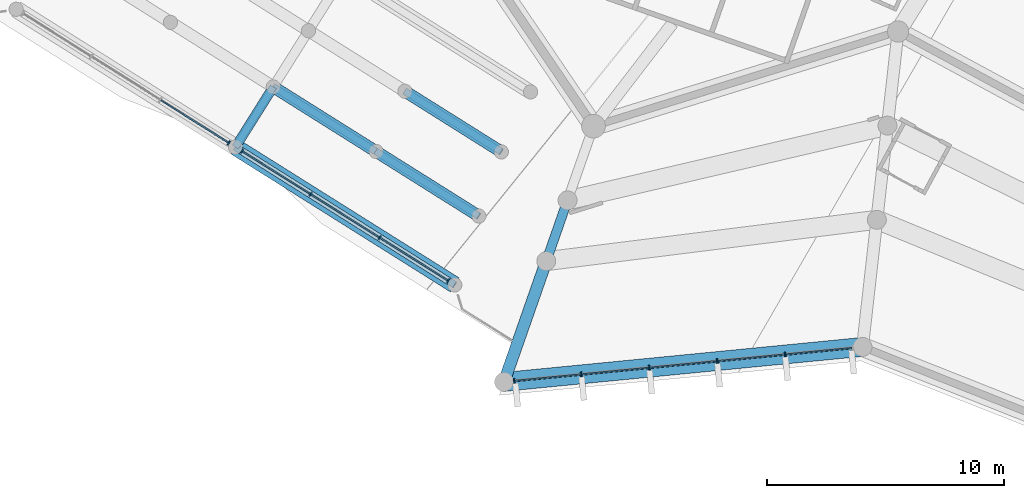
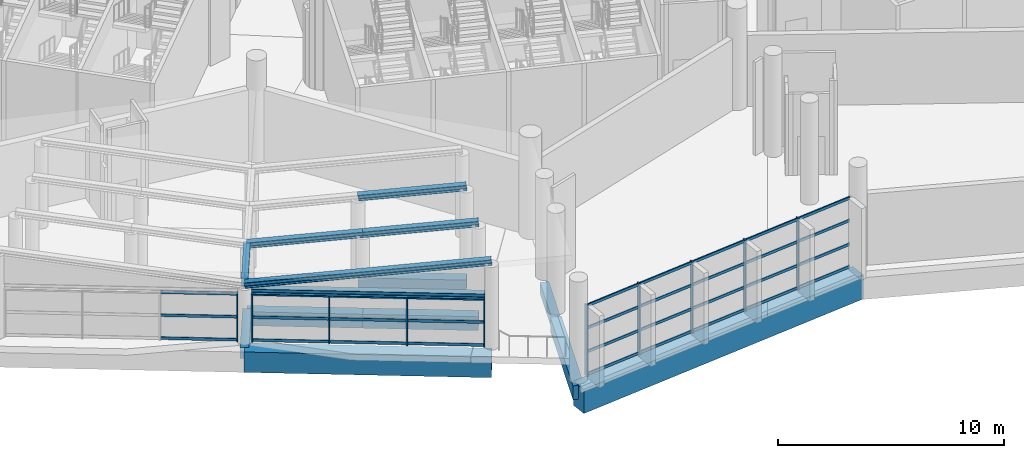
# One storey, part 9 of 271: 42 members, 14 beams, 3 elements without a shape of their own.
"""IFC4 building model written with IfcOpenShell, lengths in metres."""

import ifcopenshell
import ifcopenshell.guid

model = None  # the IFC model being written
_history = None  # IfcOwnerHistory: only IFC2X3 demands one
_inside = {}  # id of a spatial element -> (the spatial element, [elements in it])
_under = {}  # id of a project, library or spatial element -> (it, [spatial elements below it])
_declared = {}  # id of a project -> (the project, [libraries it declares])
_typed = {}  # id of a type object -> (the type object, [elements of that type])
_made_of = {}  # id of a material, layer set ... -> (it, [elements and type objects made of it])


def new_model(schema):
    """Start an empty IFC model of exactly this schema.

    Asked for "IFC4X3", IfcOpenShell would pick the latest addendum, in which some entities
    have other attributes; the version numbers below select the first issue.
    IFC2X3 requires an IfcOwnerHistory on every rooted entity: one is made here for all.
    """
    global model, _history
    if schema == "IFC4X3":
        model = ifcopenshell.file(schema_version=(4, 3, 0, 0))
    else:
        model = ifcopenshell.file(schema=schema)
    _inside.clear()
    _under.clear()
    _declared.clear()
    _typed.clear()
    _made_of.clear()
    _history = None
    if model.schema == "IFC2X3":
        org = make("IfcOrganization", Name="unknown")
        user = make(
            "IfcPersonAndOrganization",
            ThePerson=make("IfcPerson", FamilyName="unknown"),
            TheOrganization=org,
        )
        app = make(
            "IfcApplication",
            ApplicationDeveloper=org,
            Version="unknown",
            ApplicationFullName="unknown",
            ApplicationIdentifier="unknown",
        )
        _history = make(
            "IfcOwnerHistory",
            OwningUser=user,
            OwningApplication=app,
            ChangeAction="ADDED",
            CreationDate=0,
        )
    return model


def make(cls, **values):
    """One entity of the class cls with the attributes given. An attribute that is None is left unset."""
    return model.create_entity(
        cls, **{name: value for name, value in values.items() if value is not None}
    )


def rooted(cls, **values):
    """An entity with a GlobalId (a new one), such as an element, a storey or a relation."""
    return make(cls, GlobalId=ifcopenshell.guid.new(), OwnerHistory=_history, **values)


def si_unit(unit_type, name, prefix=None):
    """IfcSIUnit, for example si_unit("LENGTHUNIT", "METRE", prefix="MILLI")."""
    return make("IfcSIUnit", UnitType=unit_type, Prefix=prefix, Name=name)


def assignment(units):
    """IfcUnitAssignment: the units of a project."""
    return None if units is None else make("IfcUnitAssignment", Units=units)


def point(xyz):
    """IfcCartesianPoint."""
    return None if xyz is None else make("IfcCartesianPoint", Coordinates=xyz)


def direction(xyz):
    """IfcDirection."""
    return None if xyz is None else make("IfcDirection", DirectionRatios=xyz)


def frame(location, z_axis=None, x_axis=None):
    """IfcAxis2Placement3D, a coordinate frame: its origin and axes. An axis left out is left unset."""
    return make(
        "IfcAxis2Placement3D",
        Location=point(location),
        Axis=direction(z_axis),
        RefDirection=direction(x_axis),
    )


def frame_2d(location, x_axis=None):
    """IfcAxis2Placement2D, a coordinate frame in the plane: its origin and x axis."""
    return make(
        "IfcAxis2Placement2D", Location=point(location), RefDirection=direction(x_axis)
    )


def origin():
    """The frame at (0, 0, 0) with its axes left unset."""
    return frame((0.0, 0.0, 0.0))


def origin_2d():
    """The frame at (0, 0) in the plane with its x axis left unset."""
    return frame_2d((0.0, 0.0))


def place(relative_to, where):
    """IfcLocalPlacement: puts the frame where relative to a parent placement (None: the world)."""
    return make(
        "IfcLocalPlacement", PlacementRelTo=relative_to, RelativePlacement=where
    )


def context(
    kind, dimensions, precision=None, world=None, true_north=None, identifier=None
):
    """IfcGeometricRepresentationContext, for example the 3D "Model" context."""
    return make(
        "IfcGeometricRepresentationContext",
        ContextIdentifier=identifier,
        ContextType=kind,
        CoordinateSpaceDimension=dimensions,
        Precision=precision,
        WorldCoordinateSystem=world,
        TrueNorth=true_north,
    )


def subcontext(parent, identifier, kind, view, scale=None):
    """IfcGeometricRepresentationSubContext, for example "Body" below "Model"."""
    return make(
        "IfcGeometricRepresentationSubContext",
        ContextIdentifier=identifier,
        ContextType=kind,
        ParentContext=parent,
        TargetScale=scale,
        TargetView=view,
    )


def project(units=None, contexts=None):
    """IfcProject with its units and contexts."""
    return rooted(
        "IfcProject",
        Name="project",
        RepresentationContexts=contexts,
        UnitsInContext=assignment(units),
    )


def spatial(cls, under=None, at=None, **own):
    """A site, building, storey or space (cls), placed at a placement, below another one or the project."""
    s = rooted(cls, ObjectPlacement=at, **own)
    if under is not None:
        _under.setdefault(under.id(), (under, []))[1].append(s)
    return s


def profile(cls, at=None, kind="AREA", **sizes):
    """A parametric profile (cls). Its sizes go by their IFC names, for example OverallWidth=200.0."""
    return make(cls, ProfileType=kind, Position=at, **sizes)


def rectangle(**sizes):
    """IfcRectangleProfileDef."""
    return profile("IfcRectangleProfileDef", **sizes)


def i_section(**sizes):
    """IfcIShapeProfileDef."""
    return profile("IfcIShapeProfileDef", **sizes)


def extrude(swept, where, along, depth):
    """IfcExtrudedAreaSolid: the profile swept, set in the frame where, extruded along a direction by depth."""
    return make(
        "IfcExtrudedAreaSolid",
        SweptArea=swept,
        Position=where,
        ExtrudedDirection=direction(along),
        Depth=depth,
    )


def shape(context_of_items, identifier, shape_type, items):
    """IfcShapeRepresentation: the items that make up one representation, for example the "Body"."""
    return make(
        "IfcShapeRepresentation",
        ContextOfItems=context_of_items,
        RepresentationIdentifier=identifier,
        RepresentationType=shape_type,
        Items=items,
    )


def material(Name=None, Category=None):
    """IfcMaterial."""
    return make("IfcMaterial", Name=Name, Category=Category)


def layer(
    of_material, thickness, ventilated=None, Name=None, Category=None, Priority=None
):
    """IfcMaterialLayer: one layer of a wall or slab, of a material (None: an air gap)."""
    return make(
        "IfcMaterialLayer",
        Material=of_material,
        LayerThickness=thickness,
        IsVentilated=ventilated,
        Name=Name,
        Category=Category,
        Priority=Priority,
    )


def layer_set(layers, Name=None):
    """IfcMaterialLayerSet."""
    return make("IfcMaterialLayerSet", MaterialLayers=layers, LayerSetName=Name)


def material_profile(
    of_material, cross_section, Name=None, Category=None, Priority=None
):
    """IfcMaterialProfile: a cross section and its material."""
    return make(
        "IfcMaterialProfile",
        Name=Name,
        Material=of_material,
        Profile=cross_section,
        Priority=Priority,
        Category=Category,
    )


def profile_set(profiles, Name=None, composite=None):
    """IfcMaterialProfileSet."""
    return make(
        "IfcMaterialProfileSet",
        Name=Name,
        MaterialProfiles=profiles,
        CompositeProfile=composite,
    )


def made_of(thing, what):
    """Note that an element or type object is made of a material, layer set ...; save() writes the relation."""
    if what is not None:
        _made_of.setdefault(what.id(), (what, []))[1].append(thing)
    return thing


def type_object(cls, material=None, **own):
    """A type object (cls), such as IfcWallType, which elements share."""
    return made_of(rooted(cls, **own), material)


def element(
    cls,
    number,
    at=None,
    inside=None,
    cuts=None,
    type_object=None,
    material=None,
    context=None,
    identifier="Body",
    shape_type=None,
    held_by="IfcProductDefinitionShape",
    body=None,
    shapes=None,
    **own,
):
    """One element of the class cls, such as IfcWall. Its Tag is "e" and its number.

    at: its placement. inside: the storey or other place that contains it. cuts: it is an
    opening in that element (IfcRelVoidsElement). A single representation is given by context,
    identifier, shape_type and body (its items); several are given by shapes. held_by: the class
    of the entity that holds the representations. save() writes the other relations.
    """
    e = rooted(cls, Tag="e%d" % number, ObjectPlacement=at, **own)
    if body is not None:
        shapes = [shape(context, identifier, shape_type, body)]
    if shapes is not None:
        e.Representation = make(held_by, Representations=shapes)
    if inside is not None:
        _inside.setdefault(inside.id(), (inside, []))[1].append(e)
    if cuts is not None:
        rooted(
            "IfcRelVoidsElement", RelatingBuildingElement=cuts, RelatedOpeningElement=e
        )
    if type_object is not None:
        _typed.setdefault(type_object.id(), (type_object, []))[1].append(e)
    return made_of(e, material)


def aggregate(whole, parts):
    """IfcRelAggregates: a whole, such as a stair, and the parts it consists of."""
    return rooted("IfcRelAggregates", RelatingObject=whole, RelatedObjects=parts)


def save(model, path):
    """Write the relations noted so far, then the file.

    IfcRelAggregates (storeys below a building ...), IfcRelContainedInSpatialStructure (elements
    in a storey), IfcRelDefinesByType, IfcRelAssociatesMaterial and IfcRelDeclares: one each for
    every whole, place, type object, material and project.
    """
    for whole, parts in _under.values():
        aggregate(whole, parts)
    for where, things in _inside.values():
        rooted(
            "IfcRelContainedInSpatialStructure",
            RelatedElements=things,
            RelatingStructure=where,
        )
    for kind, things in _typed.values():
        rooted("IfcRelDefinesByType", RelatedObjects=things, RelatingType=kind)
    for what, things in _made_of.values():
        rooted("IfcRelAssociatesMaterial", RelatedObjects=things, RelatingMaterial=what)
    for by, libraries in _declared.values():
        rooted("IfcRelDeclares", RelatingContext=by, RelatedDefinitions=libraries)
    model.write(path)


model = new_model("IFC4")

# Units and contexts
model_context = context("Model", 3, precision=1e-05, world=origin(), true_north=direction((0.0, 1.0)))
body_context = subcontext(model_context, "Body", "Model", "MODEL_VIEW")
ifc_project = project(units=[si_unit("LENGTHUNIT", "METRE"), si_unit("AREAUNIT", "SQUARE_METRE"), si_unit("VOLUMEUNIT", "CUBIC_METRE"), si_unit("PLANEANGLEUNIT", "RADIAN"), si_unit("MASSUNIT", "GRAM", prefix="KILO")], contexts=[model_context])

# Site, building, storey
site_placement = place(None, origin())
site = spatial("IfcSite", under=ifc_project, at=site_placement, CompositionType="ELEMENT")
building_placement = place(site_placement, origin())
building = spatial("IfcBuilding", under=site, at=building_placement, Name="Meseta Stadium", CompositionType="ELEMENT")
storey_placement = place(building_placement, frame((0.0, 0.0, 6.5)))
storey = spatial("IfcBuildingStorey", under=building, at=storey_placement, Name="L01", CompositionType="ELEMENT", Elevation=6.5)

# Beams
ifc_material_1 = material(Name="Steel S355", Category="steel")
ifc_material_profile_1 = material_profile(ifc_material_1, i_section(OverallWidth=0.300048828125, OverallDepth=0.300048828125, WebThickness=0.010986328125, FlangeThickness=0.01904296875, FilletRadius=0.027099609375, at=origin_2d()), Name="HEB 300")
ifc_profile_set_1 = profile_set([ifc_material_profile_1], Name="Steel S355")
beam_type_1 = type_object("IfcBeamType", Name="Gate roof beam HEB 300", PredefinedType="BEAM", material=ifc_profile_set_1)
beam_1_placement = place(storey_placement, frame((-77.8154296875, -100.634033203125, 3.14453125), z_axis=(-0.531932504062, -0.846552111467, -0.01993323088), x_axis=(0.84672034344, -0.532038212918, 0.0)))
element("IfcBeam", 1, at=beam_1_placement, inside=storey, type_object=beam_type_1, Name="Gate 6 valley beam", PredefinedType="BEAM", context=body_context, shape_type="SweptSolid", body=[
    extrude(i_section(OverallWidth=0.300048828125, OverallDepth=0.300048828125, WebThickness=0.010986328125, FlangeThickness=0.01904296875, FilletRadius=0.027099609375, at=origin_2d()), origin(), (0.0, 0.0, 1.0), 3.000732421875),
])
beam_2_placement = place(storey_placement, frame((-79.15771484375, -103.333984375, 2.774658203125), z_axis=(0.846732336333, -0.532019126168, 0.0), x_axis=(0.532019126168, 0.846732336333, 0.0)))
element("IfcBeam", 2, at=beam_2_placement, inside=storey, type_object=beam_type_1, Name="Gate 6 head beam", PredefinedType="BEAM", context=body_context, shape_type="SweptSolid", body=[
    extrude(i_section(OverallWidth=0.300048828125, OverallDepth=0.300048828125, WebThickness=0.010986328125, FlangeThickness=0.01904296875, FilletRadius=0.027099609375, at=origin_2d()), origin(), (0.0, 0.0, 1.0), 10.333740234375),
])
ifc_material_2 = material(Name="Steel S355", Category="steel")
ifc_material_profile_2 = material_profile(ifc_material_2, i_section(OverallWidth=0.300048828125, OverallDepth=0.300048828125, WebThickness=0.010986328125, FlangeThickness=0.01904296875, FilletRadius=0.027099609375, at=origin_2d()), Name="HEB 300")
ifc_profile_set_2 = profile_set([ifc_material_profile_2], Name="Steel S355")
beam_type_2 = type_object("IfcBeamType", Name="Gate roof beam HEB 300 rafter", PredefinedType="BEAM", material=ifc_profile_set_2)
beam_3_placement = place(storey_placement, frame((-72.25732421875, -100.819580078125, 3.873291015625), z_axis=(0.83854094542, -0.526906039336, 0.138632999558), x_axis=(0.532043544989, 0.846716993, 0.0)))
element("IfcBeam", 3, at=beam_3_placement, inside=storey, type_object=beam_type_2, Name="Gate 6 roof rafter", PredefinedType="BEAM", context=body_context, shape_type="SweptSolid", body=[
    extrude(i_section(OverallWidth=0.300048828125, OverallDepth=0.300048828125, WebThickness=0.010986328125, FlangeThickness=0.01904296875, FilletRadius=0.027099609375, at=origin_2d()), origin(), (0.0, 0.0, 1.0), 4.851806640625),
])
beam_4_placement = place(storey_placement, frame((-77.8154296875, -100.634033203125, 3.14453125), z_axis=(0.838520268378, -0.526929684742, 0.13866818978), x_axis=(0.532070067872, 0.846700326488, 0.0)))
element("IfcBeam", 4, at=beam_4_placement, inside=storey, type_object=beam_type_2, Name="Gate 6 roof rafter", PredefinedType="BEAM", context=body_context, shape_type="SweptSolid", body=[
    extrude(i_section(OverallWidth=0.300048828125, OverallDepth=0.300048828125, WebThickness=0.010986328125, FlangeThickness=0.01904296875, FilletRadius=0.027099609375, at=origin_2d()), origin(), (0.0, 0.0, 1.0), 5.17431640625),
])
beam_5_placement = place(storey_placement, frame((-73.4765625, -103.360595703125, 3.862060546875), z_axis=(0.838555120685, -0.526874755679, 0.138666150886), x_axis=(0.532014449592, 0.846735274702, 0.0)))
element("IfcBeam", 5, at=beam_5_placement, inside=storey, type_object=beam_type_2, Name="Gate 6 roof rafter", PredefinedType="BEAM", context=body_context, shape_type="SweptSolid", body=[
    extrude(i_section(OverallWidth=0.300048828125, OverallDepth=0.300048828125, WebThickness=0.010986328125, FlangeThickness=0.01904296875, FilletRadius=0.027099609375, at=origin_2d()), origin(), (0.0, 0.0, 1.0), 5.174560546875),
])
beam_6_placement = place(storey_placement, frame((-79.41162109375, -103.17431640625, 3.084716796875), z_axis=(0.838543051713, -0.526897818913, 0.13865150143), x_axis=(0.532036635909, 0.846721334354, 0.0)))
element("IfcBeam", 6, at=beam_6_placement, inside=storey, type_object=beam_type_2, Name="Gate 6 roof rafter", PredefinedType="BEAM", context=body_context, shape_type="SweptSolid", body=[
    extrude(i_section(OverallWidth=0.300048828125, OverallDepth=0.300048828125, WebThickness=0.010986328125, FlangeThickness=0.01904296875, FilletRadius=0.027099609375, at=origin_2d()), origin(), (0.0, 0.0, 1.0), 11.040283203125),
])
ifc_material_3 = material(Name="Concrete C40/50", Category="concrete")
ifc_material_profile_3 = material_profile(ifc_material_3, rectangle(XDim=0.39990234375, YDim=0.60009765625, at=origin_2d()), Name="RC 400x600")
ifc_profile_set_3 = profile_set([ifc_material_profile_3], Name="Concrete C40/50")
beam_type_3 = type_object("IfcBeamType", Name="RC beam 400x600", PredefinedType="BEAM", material=ifc_profile_set_3)
beam_7_placement = place(storey_placement, frame((-65.3935546875, -105.423583984375, -0.64990234375), z_axis=(-0.33025443173, -0.943891948436, 0.0), x_axis=(0.943891948436, -0.33025443173, 0.0)))
element("IfcBeam", 7, at=beam_7_placement, inside=storey, type_object=beam_type_3, Name="L01 radial beam frame 42 line M to Q", PredefinedType="BEAM", context=body_context, shape_type="SweptSolid", body=[
    extrude(rectangle(XDim=0.39990234375, YDim=0.60009765625, at=origin_2d()), origin(), (0.0, 0.0, 1.0), 2.718994140625),
])
beam_8_placement = place(storey_placement, frame((-77.8154296875, -100.634033203125, -0.64990234375), z_axis=(-0.532038212918, -0.84672034344, 0.0), x_axis=(0.84672034344, -0.532038212918, 0.0)))
element("IfcBeam", 8, at=beam_8_placement, inside=storey, type_object=beam_type_3, Name="Gate 6 floor beam", PredefinedType="BEAM", context=body_context, shape_type="SweptSolid", body=[
    extrude(rectangle(XDim=0.39990234375, YDim=0.60009765625, at=origin_2d()), origin(), (0.0, 0.0, 1.0), 3.000244140625),
])
ifc_material_4 = material(Name="Concrete C40/50", Category="concrete")
ifc_material_profile_4 = material_profile(ifc_material_4, rectangle(XDim=0.5, YDim=0.75, at=origin_2d()), Name="RC 500x750")
ifc_profile_set_4 = profile_set([ifc_material_profile_4], Name="Concrete C40/50")
beam_type_4 = type_object("IfcBeamType", Name="RC beam 500x750", PredefinedType="BEAM", material=ifc_profile_set_4)
beam_9_placement = place(storey_placement, frame((-66.29150390625, -107.989990234375, -0.72509765625), z_axis=(-0.330312161181, -0.943871747737, 0.0), x_axis=(0.943871747737, -0.330312161181, 0.0)))
element("IfcBeam", 9, at=beam_9_placement, inside=storey, type_object=beam_type_4, Name="L01 radial beam frame 42 line Q to O", PredefinedType="BEAM", context=body_context, shape_type="SweptSolid", body=[
    extrude(rectangle(XDim=0.5, YDim=0.75, at=origin_2d()), origin(), (0.0, 0.0, 1.0), 5.39990234375),
])
beam_10_placement = place(storey_placement, frame((-72.25732421875, -100.819580078125, -0.72509765625), z_axis=(0.846716993, -0.532043544989, 0.0), x_axis=(0.532043544989, 0.846716993, 0.0)))
element("IfcBeam", 10, at=beam_10_placement, inside=storey, type_object=beam_type_4, Name="Gate 6 floor beam", PredefinedType="BEAM", context=body_context, shape_type="SweptSolid", body=[
    extrude(rectangle(XDim=0.5, YDim=0.75, at=origin_2d()), origin(), (0.0, 0.0, 1.0), 4.804931640625),
])
for number, where, z_axis, x_axis, name in (
    (11, (-77.8154296875, -100.634033203125, -0.72509765625), (0.846700326488, -0.532070067872, 0.0), (0.532070067872, 0.846700326488, 0.0), "Gate 6 floor beam"),
    (12, (-73.4765625, -103.360595703125, -0.72509765625), (0.846735274702, -0.532014449592, 0.0), (0.532014449592, 0.846735274702, 0.0), "Gate 6 floor beam"),
):
    element("IfcBeam", number, at=place(storey_placement, frame(where, z_axis=z_axis, x_axis=x_axis)), inside=storey, type_object=beam_type_4, Name=name, PredefinedType="BEAM", context=body_context, shape_type="SweptSolid", body=[
        extrude(rectangle(XDim=0.5, YDim=0.75, at=origin_2d()), origin(), (0.0, 0.0, 1.0), 5.12451171875),
    ])
ifc_material_5 = material(Name="Concrete C40/50", Category="concrete")
ifc_material_profile_5 = material_profile(ifc_material_5, rectangle(XDim=0.699951171875, YDim=1.10009765625, at=origin_2d()), Name="RC 700x1100")
ifc_profile_set_5 = profile_set([ifc_material_profile_5], Name="Concrete C40/50")
beam_type_5 = type_object("IfcBeamType", Name="RC beam 700x1100", PredefinedType="BEAM", material=ifc_profile_set_5)
beam_11_placement = place(storey_placement, frame((-79.41162109375, -103.17431640625, -0.89990234375), z_axis=(0.846721334354, -0.532036635909, 0.0), x_axis=(0.532036635909, 0.846721334354, 0.0)))
element("IfcBeam", 13, at=beam_11_placement, inside=storey, type_object=beam_type_5, Name="Gate 6 floor beam", PredefinedType="BEAM", context=body_context, shape_type="SweptSolid", body=[
    extrude(rectangle(XDim=0.699951171875, YDim=1.10009765625, at=origin_2d()), origin(), (0.0, 0.0, 1.0), 10.933837890625),
])
ifc_material_6 = material(Name="Concrete C40/50", Category="concrete")
ifc_material_profile_6 = material_profile(ifc_material_6, rectangle(XDim=0.800048828125, YDim=1.300048828125, at=origin_2d()), Name="RC 800x1300")
ifc_profile_set_6 = profile_set([ifc_material_profile_6], Name="Concrete C40/50")
beam_type_6 = type_object("IfcBeamType", Name="RC beam 800x1300", PredefinedType="BEAM", material=ifc_profile_set_6)
beam_12_placement = place(storey_placement, frame((-68.0751953125, -113.0869140625, -1.0), z_axis=(0.99527217358, 0.097125179524, 0.0), x_axis=(-0.097125179524, 0.99527217358, 0.0)))
element("IfcBeam", 14, at=beam_12_placement, inside=storey, type_object=beam_type_6, Name="L01 ring beam frame 42 line O", PredefinedType="BEAM", context=body_context, shape_type="SweptSolid", body=[
    extrude(rectangle(XDim=0.800048828125, YDim=1.300048828125, at=origin_2d()), origin(), (0.0, 0.0, 1.0), 15.205078125),
])

# Curtain wall, members
ifc_material_7 = material(Name="Aluminium", Category="aluminium")
ifc_layer_1 = layer(ifc_material_7, 0.199951171875)
ifc_layer_set_1 = layer_set([ifc_layer_1], Name="Ring shopfront curtain wall")
curtain_wall_type_1 = type_object("IfcCurtainWallType", Name="Ring shopfront curtain wall", PredefinedType="NOTDEFINED", material=ifc_layer_set_1)
curtain_wall_1_placement = place(storey_placement, origin())
curtain_wall_1 = element("IfcCurtainWall", 15, at=curtain_wall_1_placement, inside=storey, type_object=curtain_wall_type_1, Name="Ring glazing L01 F42", PredefinedType="NOTDEFINED")
ifc_material_8 = material(Name="Aluminium", Category="aluminium")
ifc_material_profile_7 = material_profile(ifc_material_8, rectangle(XDim=0.199951171875, YDim=0.06005859375, at=origin_2d()), Name="CW 200x60")
ifc_profile_set_7 = profile_set([ifc_material_profile_7], Name="Aluminium")
member_type_1 = type_object("IfcMemberType", Name="Ring CW mullion 60x200", PredefinedType="MULLION", material=ifc_profile_set_7)
member_1_placement = place(storey_placement, frame((-67.647216796875, -113.045166015625, 0.0), z_axis=(0.0, 0.0, 1.0), x_axis=(-0.097124618973, 0.995272228282, 0.0)))
member_1 = element("IfcMember", 16, at=member_1_placement, type_object=member_type_1, Name="CWR1 mullion 1", PredefinedType="MULLION", context=body_context, shape_type="SweptSolid", body=[
    extrude(rectangle(XDim=0.199951171875, YDim=0.06005859375, at=origin_2d()), origin(), (0.0, 0.0, 1.0), 3.85009765625),
])
member_2_placement = place(storey_placement, frame((-64.8095703125, -112.768310546875, 0.0), z_axis=(0.0, 0.0, 1.0), x_axis=(-0.097124618973, 0.995272228282, 0.0)))
member_2 = element("IfcMember", 17, at=member_2_placement, type_object=member_type_1, Name="CWR1 mullion 2", PredefinedType="MULLION", context=body_context, shape_type="SweptSolid", body=[
    extrude(rectangle(XDim=0.199951171875, YDim=0.06005859375, at=origin_2d()), origin(), (0.0, 0.0, 1.0), 3.85009765625),
])
member_3_placement = place(storey_placement, frame((-61.942138671875, -112.488525390625, 0.0), z_axis=(0.0, 0.0, 1.0), x_axis=(-0.097124618973, 0.995272228282, 0.0)))
member_3 = element("IfcMember", 18, at=member_3_placement, type_object=member_type_1, Name="CWR1 mullion 3", PredefinedType="MULLION", context=body_context, shape_type="SweptSolid", body=[
    extrude(rectangle(XDim=0.199951171875, YDim=0.06005859375, at=origin_2d()), origin(), (0.0, 0.0, 1.0), 3.85009765625),
])
member_4_placement = place(storey_placement, frame((-59.07470703125, -112.208740234375, 0.0), z_axis=(0.0, 0.0, 1.0), x_axis=(-0.097124618973, 0.995272228282, 0.0)))
member_4 = element("IfcMember", 19, at=member_4_placement, type_object=member_type_1, Name="CWR1 mullion 4", PredefinedType="MULLION", context=body_context, shape_type="SweptSolid", body=[
    extrude(rectangle(XDim=0.199951171875, YDim=0.06005859375, at=origin_2d()), origin(), (0.0, 0.0, 1.0), 3.85009765625),
])
member_5_placement = place(storey_placement, frame((-56.207275390625, -111.9287109375, 0.0), z_axis=(0.0, 0.0, 1.0), x_axis=(-0.097124618973, 0.995272228282, 0.0)))
member_5 = element("IfcMember", 20, at=member_5_placement, type_object=member_type_1, Name="CWR1 mullion 5", PredefinedType="MULLION", context=body_context, shape_type="SweptSolid", body=[
    extrude(rectangle(XDim=0.199951171875, YDim=0.06005859375, at=origin_2d()), origin(), (0.0, 0.0, 1.0), 3.85009765625),
])

# Curtain wall, member
ifc_material_9 = material(Name="Aluminium", Category="aluminium")
ifc_layer_2 = layer(ifc_material_9, 0.199951171875)
ifc_layer_set_2 = layer_set([ifc_layer_2], Name="Gate hall curtain wall")
curtain_wall_type_2 = type_object("IfcCurtainWallType", Name="Gate hall curtain wall", PredefinedType="NOTDEFINED", material=ifc_layer_set_2)
curtain_wall_2_placement = place(storey_placement, origin())
curtain_wall_2 = element("IfcCurtainWall", 21, at=curtain_wall_2_placement, inside=storey, type_object=curtain_wall_type_2, Name="Gate 6 hall glazing", PredefinedType="NOTDEFINED")
member_6_placement = place(storey_placement, frame((-79.69091796875, -102.998779296875, 0.0), z_axis=(0.0, 0.0, 1.0), x_axis=(-0.532034592979, -0.846722618024, 0.0)))
member_6 = element("IfcMember", 22, at=member_6_placement, type_object=member_type_1, Name="CWG1 mullion 1", PredefinedType="MULLION", context=body_context, shape_type="SweptSolid", body=[
    extrude(rectangle(XDim=0.199951171875, YDim=0.06005859375, at=origin_2d()), origin(), (0.0, 0.0, 1.0), 2.62451171875),
])

# Curtain wall, members
curtain_wall_3_placement = place(storey_placement, origin())
curtain_wall_3 = element("IfcCurtainWall", 23, at=curtain_wall_3_placement, inside=storey, type_object=curtain_wall_type_2, Name="Gate 6 hall glazing", PredefinedType="NOTDEFINED")
member_7_placement = place(storey_placement, frame((-70.43310546875, -108.815673828125, 0.0), z_axis=(0.0, 0.0, 1.0), x_axis=(-0.532027655072, -0.846726977389, 0.0)))
member_7 = element("IfcMember", 24, at=member_7_placement, type_object=member_type_1, Name="CWG1 mullion 1", PredefinedType="MULLION", context=body_context, shape_type="SweptSolid", body=[
    extrude(rectangle(XDim=0.199951171875, YDim=0.06005859375, at=origin_2d()), origin(), (0.0, 0.0, 1.0), 2.62451171875),
])
member_8_placement = place(storey_placement, frame((-73.324462890625, -106.9990234375, 0.0), z_axis=(0.0, 0.0, 1.0), x_axis=(-0.532027655072, -0.846726977389, 0.0)))
member_8 = element("IfcMember", 25, at=member_8_placement, type_object=member_type_1, Name="CWG1 mullion 2", PredefinedType="MULLION", context=body_context, shape_type="SweptSolid", body=[
    extrude(rectangle(XDim=0.199951171875, YDim=0.06005859375, at=origin_2d()), origin(), (0.0, 0.0, 1.0), 2.62451171875),
])
member_9_placement = place(storey_placement, frame((-76.240966796875, -105.16650390625, 0.0), z_axis=(0.0, 0.0, 1.0), x_axis=(-0.532027655072, -0.846726977389, 0.0)))
member_9 = element("IfcMember", 26, at=member_9_placement, type_object=member_type_1, Name="CWG1 mullion 3", PredefinedType="MULLION", context=body_context, shape_type="SweptSolid", body=[
    extrude(rectangle(XDim=0.199951171875, YDim=0.06005859375, at=origin_2d()), origin(), (0.0, 0.0, 1.0), 2.62451171875),
])
member_10_placement = place(storey_placement, frame((-79.132080078125, -103.349853515625, 0.0), z_axis=(0.0, 0.0, 1.0), x_axis=(-0.532027655072, -0.846726977389, 0.0)))
member_10 = element("IfcMember", 27, at=member_10_placement, type_object=member_type_1, Name="CWG1 mullion 4", PredefinedType="MULLION", context=body_context, shape_type="SweptSolid", body=[
    extrude(rectangle(XDim=0.199951171875, YDim=0.06005859375, at=origin_2d()), origin(), (0.0, 0.0, 1.0), 2.62451171875),
])

# Member
ifc_material_10 = material(Name="Aluminium", Category="aluminium")
ifc_material_profile_8 = material_profile(ifc_material_10, rectangle(XDim=0.06005859375, YDim=0.14990234375, at=origin_2d()), Name="CW 60x150")
ifc_profile_set_8 = profile_set([ifc_material_profile_8], Name="Aluminium")
member_type_2 = type_object("IfcMemberType", Name="Ring CW transom 60x150", PredefinedType="USERDEFINED", material=ifc_profile_set_8)
member_11_placement = place(storey_placement, frame((-67.6171875, -113.042236328125, 0.074951171875), z_axis=(0.995275046285, 0.097095737509, 0.0), x_axis=(-0.097095737509, 0.995275046285, 0.0)))
member_11 = element("IfcMember", 28, at=member_11_placement, type_object=member_type_2, Name="CWR1 transom 1.1", ObjectType="TRANSOM", PredefinedType="USERDEFINED", context=body_context, shape_type="SweptSolid", body=[
    extrude(rectangle(XDim=0.06005859375, YDim=0.14990234375, at=origin_2d()), origin(), (0.0, 0.0, 1.0), 2.791015625),
])

member_12_placement = place(storey_placement, frame((-67.6171875, -113.042236328125, 1.283447265625), z_axis=(0.995275046285, 0.097095737509, 0.0), x_axis=(-0.097095737509, 0.995275046285, 0.0)))
member_12 = element("IfcMember", 29, at=member_12_placement, type_object=member_type_2, Name="CWR1 transom 1.2", ObjectType="TRANSOM", PredefinedType="USERDEFINED", context=body_context, shape_type="SweptSolid", body=[
    extrude(rectangle(XDim=0.06005859375, YDim=0.14990234375, at=origin_2d()), origin(), (0.0, 0.0, 1.0), 2.791015625),
])

member_13_placement = place(storey_placement, frame((-67.6171875, -113.042236328125, 2.566650390625), z_axis=(0.995275046285, 0.097095737509, 0.0), x_axis=(-0.097095737509, 0.995275046285, 0.0)))
member_13 = element("IfcMember", 30, at=member_13_placement, type_object=member_type_2, Name="CWR1 transom 1.3", ObjectType="TRANSOM", PredefinedType="USERDEFINED", context=body_context, shape_type="SweptSolid", body=[
    extrude(rectangle(XDim=0.06005859375, YDim=0.14990234375, at=origin_2d()), origin(), (0.0, 0.0, 1.0), 2.791015625),
])

member_14_placement = place(storey_placement, frame((-67.6171875, -113.042236328125, 3.77490234375), z_axis=(0.995275046285, 0.097095737509, 0.0), x_axis=(-0.097095737509, 0.995275046285, 0.0)))
member_14 = element("IfcMember", 31, at=member_14_placement, type_object=member_type_2, Name="CWR1 transom 1.4", ObjectType="TRANSOM", PredefinedType="USERDEFINED", context=body_context, shape_type="SweptSolid", body=[
    extrude(rectangle(XDim=0.06005859375, YDim=0.14990234375, at=origin_2d()), origin(), (0.0, 0.0, 1.0), 2.791015625),
])

member_15_placement = place(storey_placement, frame((-64.77978515625, -112.765380859375, 0.074951171875), z_axis=(0.995275041875, 0.097095782713, 0.0), x_axis=(-0.097095782713, 0.995275041875, 0.0)))
member_15 = element("IfcMember", 32, at=member_15_placement, type_object=member_type_2, Name="CWR1 transom 2.1", ObjectType="TRANSOM", PredefinedType="USERDEFINED", context=body_context, shape_type="SweptSolid", body=[
    extrude(rectangle(XDim=0.06005859375, YDim=0.14990234375, at=origin_2d()), origin(), (0.0, 0.0, 1.0), 2.8212890625),
])

member_16_placement = place(storey_placement, frame((-64.77978515625, -112.765380859375, 1.283447265625), z_axis=(0.995275041875, 0.097095782713, 0.0), x_axis=(-0.097095782713, 0.995275041875, 0.0)))
member_16 = element("IfcMember", 33, at=member_16_placement, type_object=member_type_2, Name="CWR1 transom 2.2", ObjectType="TRANSOM", PredefinedType="USERDEFINED", context=body_context, shape_type="SweptSolid", body=[
    extrude(rectangle(XDim=0.06005859375, YDim=0.14990234375, at=origin_2d()), origin(), (0.0, 0.0, 1.0), 2.8212890625),
])

member_17_placement = place(storey_placement, frame((-64.77978515625, -112.765380859375, 2.566650390625), z_axis=(0.995275041875, 0.097095782713, 0.0), x_axis=(-0.097095782713, 0.995275041875, 0.0)))
member_17 = element("IfcMember", 34, at=member_17_placement, type_object=member_type_2, Name="CWR1 transom 2.3", ObjectType="TRANSOM", PredefinedType="USERDEFINED", context=body_context, shape_type="SweptSolid", body=[
    extrude(rectangle(XDim=0.06005859375, YDim=0.14990234375, at=origin_2d()), origin(), (0.0, 0.0, 1.0), 2.8212890625),
])

member_18_placement = place(storey_placement, frame((-64.77978515625, -112.765380859375, 3.77490234375), z_axis=(0.995275041875, 0.097095782713, 0.0), x_axis=(-0.097095782713, 0.995275041875, 0.0)))
member_18 = element("IfcMember", 35, at=member_18_placement, type_object=member_type_2, Name="CWR1 transom 2.4", ObjectType="TRANSOM", PredefinedType="USERDEFINED", context=body_context, shape_type="SweptSolid", body=[
    extrude(rectangle(XDim=0.06005859375, YDim=0.14990234375, at=origin_2d()), origin(), (0.0, 0.0, 1.0), 2.8212890625),
])

member_19_placement = place(storey_placement, frame((-61.912353515625, -112.485595703125, 0.074951171875), z_axis=(0.995275041875, 0.097095782713, 0.0), x_axis=(-0.097095782713, 0.995275041875, 0.0)))
member_19 = element("IfcMember", 36, at=member_19_placement, type_object=member_type_2, Name="CWR1 transom 3.1", ObjectType="TRANSOM", PredefinedType="USERDEFINED", context=body_context, shape_type="SweptSolid", body=[
    extrude(rectangle(XDim=0.06005859375, YDim=0.14990234375, at=origin_2d()), origin(), (0.0, 0.0, 1.0), 2.8212890625),
])

member_20_placement = place(storey_placement, frame((-61.912353515625, -112.485595703125, 1.283447265625), z_axis=(0.995275041875, 0.097095782713, 0.0), x_axis=(-0.097095782713, 0.995275041875, 0.0)))
member_20 = element("IfcMember", 37, at=member_20_placement, type_object=member_type_2, Name="CWR1 transom 3.2", ObjectType="TRANSOM", PredefinedType="USERDEFINED", context=body_context, shape_type="SweptSolid", body=[
    extrude(rectangle(XDim=0.06005859375, YDim=0.14990234375, at=origin_2d()), origin(), (0.0, 0.0, 1.0), 2.8212890625),
])

member_21_placement = place(storey_placement, frame((-61.912353515625, -112.485595703125, 2.566650390625), z_axis=(0.995275041875, 0.097095782713, 0.0), x_axis=(-0.097095782713, 0.995275041875, 0.0)))
member_21 = element("IfcMember", 38, at=member_21_placement, type_object=member_type_2, Name="CWR1 transom 3.3", ObjectType="TRANSOM", PredefinedType="USERDEFINED", context=body_context, shape_type="SweptSolid", body=[
    extrude(rectangle(XDim=0.06005859375, YDim=0.14990234375, at=origin_2d()), origin(), (0.0, 0.0, 1.0), 2.8212890625),
])

member_22_placement = place(storey_placement, frame((-61.912353515625, -112.485595703125, 3.77490234375), z_axis=(0.995275041875, 0.097095782713, 0.0), x_axis=(-0.097095782713, 0.995275041875, 0.0)))
member_22 = element("IfcMember", 39, at=member_22_placement, type_object=member_type_2, Name="CWR1 transom 3.4", ObjectType="TRANSOM", PredefinedType="USERDEFINED", context=body_context, shape_type="SweptSolid", body=[
    extrude(rectangle(XDim=0.06005859375, YDim=0.14990234375, at=origin_2d()), origin(), (0.0, 0.0, 1.0), 2.8212890625),
])

member_23_placement = place(storey_placement, frame((-59.044921875, -112.205810546875, 0.074951171875), z_axis=(0.995266675468, 0.097181503917, 0.0), x_axis=(-0.097181503917, 0.995266675468, 0.0)))
member_23 = element("IfcMember", 40, at=member_23_placement, type_object=member_type_2, Name="CWR1 transom 4.1", ObjectType="TRANSOM", PredefinedType="USERDEFINED", context=body_context, shape_type="SweptSolid", body=[
    extrude(rectangle(XDim=0.06005859375, YDim=0.14990234375, at=origin_2d()), origin(), (0.0, 0.0, 1.0), 2.8212890625),
])

member_24_placement = place(storey_placement, frame((-59.044921875, -112.205810546875, 1.283447265625), z_axis=(0.995266675468, 0.097181503917, 0.0), x_axis=(-0.097181503917, 0.995266675468, 0.0)))
member_24 = element("IfcMember", 41, at=member_24_placement, type_object=member_type_2, Name="CWR1 transom 4.2", ObjectType="TRANSOM", PredefinedType="USERDEFINED", context=body_context, shape_type="SweptSolid", body=[
    extrude(rectangle(XDim=0.06005859375, YDim=0.14990234375, at=origin_2d()), origin(), (0.0, 0.0, 1.0), 2.8212890625),
])

member_25_placement = place(storey_placement, frame((-59.044921875, -112.205810546875, 2.566650390625), z_axis=(0.995266675468, 0.097181503917, 0.0), x_axis=(-0.097181503917, 0.995266675468, 0.0)))
member_25 = element("IfcMember", 42, at=member_25_placement, type_object=member_type_2, Name="CWR1 transom 4.3", ObjectType="TRANSOM", PredefinedType="USERDEFINED", context=body_context, shape_type="SweptSolid", body=[
    extrude(rectangle(XDim=0.06005859375, YDim=0.14990234375, at=origin_2d()), origin(), (0.0, 0.0, 1.0), 2.8212890625),
])

member_26_placement = place(storey_placement, frame((-59.044921875, -112.205810546875, 3.77490234375), z_axis=(0.995266675468, 0.097181503917, 0.0), x_axis=(-0.097181503917, 0.995266675468, 0.0)))
member_26 = element("IfcMember", 43, at=member_26_placement, type_object=member_type_2, Name="CWR1 transom 4.4", ObjectType="TRANSOM", PredefinedType="USERDEFINED", context=body_context, shape_type="SweptSolid", body=[
    extrude(rectangle(XDim=0.06005859375, YDim=0.14990234375, at=origin_2d()), origin(), (0.0, 0.0, 1.0), 2.8212890625),
])

member_27_placement = place(storey_placement, frame((-56.177490234375, -111.926025390625, 0.074951171875), z_axis=(0.995266589398, 0.097182385377, 0.0), x_axis=(-0.097182385377, 0.995266589398, 0.0)))
member_27 = element("IfcMember", 44, at=member_27_placement, type_object=member_type_2, Name="CWR1 transom 5.1", ObjectType="TRANSOM", PredefinedType="USERDEFINED", context=body_context, shape_type="SweptSolid", body=[
    extrude(rectangle(XDim=0.06005859375, YDim=0.14990234375, at=origin_2d()), origin(), (0.0, 0.0, 1.0), 2.791015625),
])

member_28_placement = place(storey_placement, frame((-56.177490234375, -111.926025390625, 1.283447265625), z_axis=(0.995266589398, 0.097182385377, 0.0), x_axis=(-0.097182385377, 0.995266589398, 0.0)))
member_28 = element("IfcMember", 45, at=member_28_placement, type_object=member_type_2, Name="CWR1 transom 5.2", ObjectType="TRANSOM", PredefinedType="USERDEFINED", context=body_context, shape_type="SweptSolid", body=[
    extrude(rectangle(XDim=0.06005859375, YDim=0.14990234375, at=origin_2d()), origin(), (0.0, 0.0, 1.0), 2.791015625),
])

member_29_placement = place(storey_placement, frame((-56.177490234375, -111.926025390625, 2.566650390625), z_axis=(0.995266589398, 0.097182385377, 0.0), x_axis=(-0.097182385377, 0.995266589398, 0.0)))
member_29 = element("IfcMember", 46, at=member_29_placement, type_object=member_type_2, Name="CWR1 transom 5.3", ObjectType="TRANSOM", PredefinedType="USERDEFINED", context=body_context, shape_type="SweptSolid", body=[
    extrude(rectangle(XDim=0.06005859375, YDim=0.14990234375, at=origin_2d()), origin(), (0.0, 0.0, 1.0), 2.791015625),
])

member_30_placement = place(storey_placement, frame((-56.177490234375, -111.926025390625, 3.77490234375), z_axis=(0.995266589398, 0.097182385377, 0.0), x_axis=(-0.097182385377, 0.995266589398, 0.0)))
member_30 = element("IfcMember", 47, at=member_30_placement, type_object=member_type_2, Name="CWR1 transom 5.4", ObjectType="TRANSOM", PredefinedType="USERDEFINED", context=body_context, shape_type="SweptSolid", body=[
    extrude(rectangle(XDim=0.06005859375, YDim=0.14990234375, at=origin_2d()), origin(), (0.0, 0.0, 1.0), 2.791015625),
])

aggregate(curtain_wall_1, [member_1, member_2, member_3, member_4, member_5, member_11, member_12, member_13, member_14, member_15, member_16, member_17, member_18, member_19, member_20, member_21, member_22, member_23, member_24, member_25, member_26, member_27, member_28, member_29, member_30])

member_31_placement = place(storey_placement, frame((-79.71630859375, -102.982666015625, 0.074951171875), z_axis=(-0.846748952019, 0.531992680641, 0.0), x_axis=(-0.531992680641, -0.846748952019, 0.0)))
member_31 = element("IfcMember", 48, at=member_31_placement, type_object=member_type_2, Name="CWG1 transom 1.1", ObjectType="TRANSOM", PredefinedType="USERDEFINED", context=body_context, shape_type="SweptSolid", body=[
    extrude(rectangle(XDim=0.06005859375, YDim=0.14990234375, at=origin_2d()), origin(), (0.0, 0.0, 1.0), 3.354736328125),
])

member_32_placement = place(storey_placement, frame((-79.71630859375, -102.982666015625, 1.312255859375), z_axis=(-0.846748952019, 0.531992680641, 0.0), x_axis=(-0.531992680641, -0.846748952019, 0.0)))
member_32 = element("IfcMember", 49, at=member_32_placement, type_object=member_type_2, Name="CWG1 transom 1.2", ObjectType="TRANSOM", PredefinedType="USERDEFINED", context=body_context, shape_type="SweptSolid", body=[
    extrude(rectangle(XDim=0.06005859375, YDim=0.14990234375, at=origin_2d()), origin(), (0.0, 0.0, 1.0), 3.354736328125),
])

member_33_placement = place(storey_placement, frame((-79.71630859375, -102.982666015625, 2.549560546875), z_axis=(-0.846748952019, 0.531992680641, 0.0), x_axis=(-0.531992680641, -0.846748952019, 0.0)))
member_33 = element("IfcMember", 50, at=member_33_placement, type_object=member_type_2, Name="CWG1 transom 1.3", ObjectType="TRANSOM", PredefinedType="USERDEFINED", context=body_context, shape_type="SweptSolid", body=[
    extrude(rectangle(XDim=0.06005859375, YDim=0.14990234375, at=origin_2d()), origin(), (0.0, 0.0, 1.0), 3.354736328125),
])

aggregate(curtain_wall_2, [member_6, member_31, member_32, member_33])

member_34_placement = place(storey_placement, frame((-70.45849609375, -108.7998046875, 0.074951171875), z_axis=(-0.846748952019, 0.531992680641, 0.0), x_axis=(-0.531992680641, -0.846748952019, 0.0)))
member_34 = element("IfcMember", 51, at=member_34_placement, type_object=member_type_2, Name="CWG1 transom 1.1", ObjectType="TRANSOM", PredefinedType="USERDEFINED", context=body_context, shape_type="SweptSolid", body=[
    extrude(rectangle(XDim=0.06005859375, YDim=0.14990234375, at=origin_2d()), origin(), (0.0, 0.0, 1.0), 3.354736328125),
])

member_35_placement = place(storey_placement, frame((-70.45849609375, -108.7998046875, 1.312255859375), z_axis=(-0.846748952019, 0.531992680641, 0.0), x_axis=(-0.531992680641, -0.846748952019, 0.0)))
member_35 = element("IfcMember", 52, at=member_35_placement, type_object=member_type_2, Name="CWG1 transom 1.2", ObjectType="TRANSOM", PredefinedType="USERDEFINED", context=body_context, shape_type="SweptSolid", body=[
    extrude(rectangle(XDim=0.06005859375, YDim=0.14990234375, at=origin_2d()), origin(), (0.0, 0.0, 1.0), 3.354736328125),
])

member_36_placement = place(storey_placement, frame((-70.45849609375, -108.7998046875, 2.549560546875), z_axis=(-0.846748952019, 0.531992680641, 0.0), x_axis=(-0.531992680641, -0.846748952019, 0.0)))
member_36 = element("IfcMember", 53, at=member_36_placement, type_object=member_type_2, Name="CWG1 transom 1.3", ObjectType="TRANSOM", PredefinedType="USERDEFINED", context=body_context, shape_type="SweptSolid", body=[
    extrude(rectangle(XDim=0.06005859375, YDim=0.14990234375, at=origin_2d()), origin(), (0.0, 0.0, 1.0), 3.354736328125),
])

member_37_placement = place(storey_placement, frame((-73.349853515625, -106.983154296875, 0.074951171875), z_axis=(-0.846707113911, 0.532059266673, 0.0), x_axis=(-0.532059266673, -0.846707113911, 0.0)))
member_37 = element("IfcMember", 54, at=member_37_placement, type_object=member_type_2, Name="CWG1 transom 2.1", ObjectType="TRANSOM", PredefinedType="USERDEFINED", context=body_context, shape_type="SweptSolid", body=[
    extrude(rectangle(XDim=0.06005859375, YDim=0.14990234375, at=origin_2d()), origin(), (0.0, 0.0, 1.0), 3.384521484375),
])

member_38_placement = place(storey_placement, frame((-73.349853515625, -106.983154296875, 1.312255859375), z_axis=(-0.846707113911, 0.532059266673, 0.0), x_axis=(-0.532059266673, -0.846707113911, 0.0)))
member_38 = element("IfcMember", 55, at=member_38_placement, type_object=member_type_2, Name="CWG1 transom 2.2", ObjectType="TRANSOM", PredefinedType="USERDEFINED", context=body_context, shape_type="SweptSolid", body=[
    extrude(rectangle(XDim=0.06005859375, YDim=0.14990234375, at=origin_2d()), origin(), (0.0, 0.0, 1.0), 3.384521484375),
])

member_39_placement = place(storey_placement, frame((-73.349853515625, -106.983154296875, 2.549560546875), z_axis=(-0.846707113911, 0.532059266673, 0.0), x_axis=(-0.532059266673, -0.846707113911, 0.0)))
member_39 = element("IfcMember", 56, at=member_39_placement, type_object=member_type_2, Name="CWG1 transom 2.3", ObjectType="TRANSOM", PredefinedType="USERDEFINED", context=body_context, shape_type="SweptSolid", body=[
    extrude(rectangle(XDim=0.06005859375, YDim=0.14990234375, at=origin_2d()), origin(), (0.0, 0.0, 1.0), 3.384521484375),
])

member_40_placement = place(storey_placement, frame((-76.266357421875, -105.150634765625, 0.074951171875), z_axis=(-0.846695566748, 0.532077642126, 0.0), x_axis=(-0.532077642126, -0.846695566748, 0.0)))
member_40 = element("IfcMember", 57, at=member_40_placement, type_object=member_type_2, Name="CWG1 transom 3.1", ObjectType="TRANSOM", PredefinedType="USERDEFINED", context=body_context, shape_type="SweptSolid", body=[
    extrude(rectangle(XDim=0.06005859375, YDim=0.14990234375, at=origin_2d()), origin(), (0.0, 0.0, 1.0), 3.3544921875),
])

member_41_placement = place(storey_placement, frame((-76.266357421875, -105.150634765625, 1.312255859375), z_axis=(-0.846695566748, 0.532077642126, 0.0), x_axis=(-0.532077642126, -0.846695566748, 0.0)))
member_41 = element("IfcMember", 58, at=member_41_placement, type_object=member_type_2, Name="CWG1 transom 3.2", ObjectType="TRANSOM", PredefinedType="USERDEFINED", context=body_context, shape_type="SweptSolid", body=[
    extrude(rectangle(XDim=0.06005859375, YDim=0.14990234375, at=origin_2d()), origin(), (0.0, 0.0, 1.0), 3.3544921875),
])

member_42_placement = place(storey_placement, frame((-76.266357421875, -105.150634765625, 2.549560546875), z_axis=(-0.846695566748, 0.532077642126, 0.0), x_axis=(-0.532077642126, -0.846695566748, 0.0)))
member_42 = element("IfcMember", 59, at=member_42_placement, type_object=member_type_2, Name="CWG1 transom 3.3", ObjectType="TRANSOM", PredefinedType="USERDEFINED", context=body_context, shape_type="SweptSolid", body=[
    extrude(rectangle(XDim=0.06005859375, YDim=0.14990234375, at=origin_2d()), origin(), (0.0, 0.0, 1.0), 3.3544921875),
])

aggregate(curtain_wall_3, [member_7, member_8, member_9, member_10, member_34, member_35, member_36, member_37, member_38, member_39, member_40, member_41, member_42])

save(model, "model.ifc")
